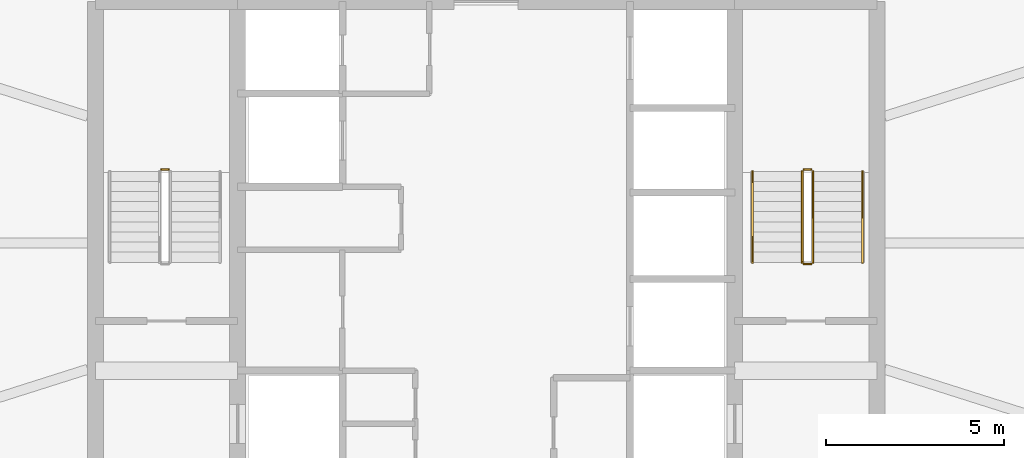
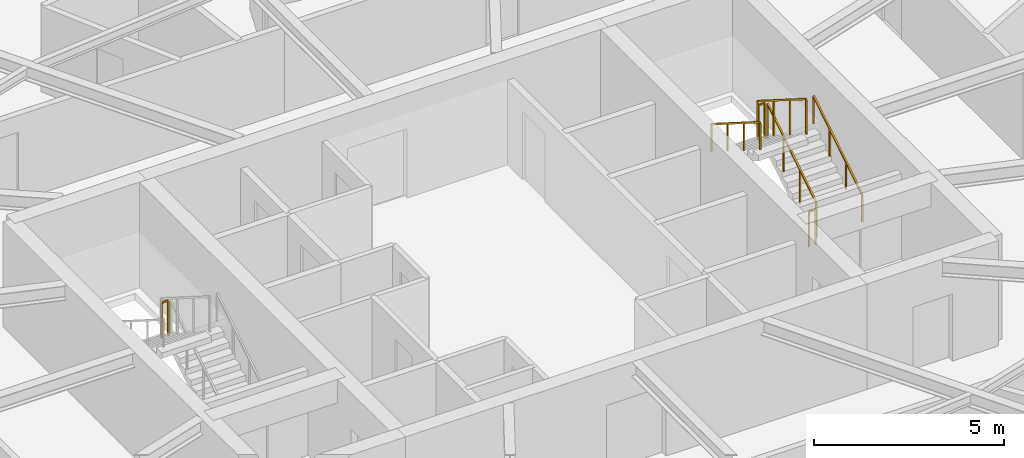
# One storey, part 28 of 28: 7 railings.
"""IFC4 building model written with IfcOpenShell, lengths in metres."""

from ifc_helpers import new_model, si_unit, direction, frame, origin, origin_2d, place, context, subcontext, project, spatial, rectangle, extrude, material, type_object, element, save


model = new_model("IFC4")

# Units and contexts
model_context = context("Model", 3, precision=1e-05, world=origin(), true_north=direction((0.0, 1.0)))
body_context = subcontext(model_context, "Body", "Model", "MODEL_VIEW")
ifc_project = project(units=[si_unit("LENGTHUNIT", "METRE"), si_unit("AREAUNIT", "SQUARE_METRE"), si_unit("VOLUMEUNIT", "CUBIC_METRE"), si_unit("PLANEANGLEUNIT", "RADIAN"), si_unit("MASSUNIT", "GRAM", prefix="KILO")], contexts=[model_context])

# Site, building, storey
site_placement = place(None, origin())
site = spatial("IfcSite", under=ifc_project, at=site_placement, CompositionType="ELEMENT")
building_placement = place(site_placement, origin())
building = spatial("IfcBuilding", under=site, at=building_placement, Name="Sarneth Arch Tower", CompositionType="ELEMENT")
storey_placement = place(building_placement, frame((0.0, 0.0, 179.39990234375)))
storey = spatial("IfcBuildingStorey", under=building, at=storey_placement, Name="L45", CompositionType="ELEMENT", Elevation=179.39990234375)

# Railings
ifc_material_1 = material(Name="Brushed Stainless Steel 304 tubular handrail", Category="steel")
railing_type_1 = type_object("IfcRailingType", Name="RAIL-HANDRAIL-900", PredefinedType="HANDRAIL", material=ifc_material_1)
railing_1_placement = place(storey_placement, frame((58.60009765625, 41.449951171875, 0.18017578125)))
element("IfcRailing", 1, at=railing_1_placement, inside=storey, type_object=railing_type_1, Name="L45 ST-2 stair handrail 1", PredefinedType="HANDRAIL", context=body_context, shape_type="SweptSolid", body=[
    extrude(rectangle(XDim=0.048095703125, YDim=0.048095703125, at=origin_2d()), frame((0.0, 0.0, 0.8759765625), z_axis=(0.0, 0.845502289212, 0.533971796014), x_axis=(-1.0, 0.0, 0.0)), (0.0, 0.0, 1.0), 3.03369140625),
    extrude(rectangle(XDim=0.0419921875, YDim=0.0419921875, at=origin_2d()), origin(), (0.0, 0.0, 1.0), 0.851806640625),
    extrude(rectangle(XDim=0.0419921875, YDim=0.0419921875, at=origin_2d()), frame((0.0, 0.85498046875, 0.5400390625)), (0.0, 0.0, 1.0), 0.851806640625),
    extrude(rectangle(XDim=0.0419921875, YDim=0.0419921875, at=origin_2d()), frame((0.0, 1.7099609375, 1.079833984375)), (0.0, 0.0, 1.0), 0.851806640625),
    extrude(rectangle(XDim=0.0419921875, YDim=0.0419921875, at=origin_2d()), frame((0.0, 2.56494140625, 1.619873046875)), (0.0, 0.0, 1.0), 0.851806640625),
])
railing_2_placement = place(storey_placement, frame((55.5, 44.014892578125, 1.97998046875)))
element("IfcRailing", 2, at=railing_2_placement, inside=storey, type_object=railing_type_1, Name="L45 ST-2 stair handrail 2", PredefinedType="HANDRAIL", context=body_context, shape_type="SweptSolid", body=[
    extrude(rectangle(XDim=0.048095703125, YDim=0.048095703125, at=origin_2d()), frame((0.0, 0.0, 0.8759765625), z_axis=(0.0, -0.845465955043, 0.534029323973), x_axis=(1.0, 0.0, 0.0)), (0.0, 0.0, 1.0), 3.03369140625),
    extrude(rectangle(XDim=0.0419921875, YDim=0.0419921875, at=origin_2d()), origin(), (0.0, 0.0, 1.0), 0.851806640625),
    extrude(rectangle(XDim=0.0419921875, YDim=0.0419921875, at=origin_2d()), frame((0.0, -0.85498046875, 0.5400390625)), (0.0, 0.0, 1.0), 0.851806640625),
    extrude(rectangle(XDim=0.0419921875, YDim=0.0419921875, at=origin_2d()), frame((0.0, -1.7099609375, 1.080078125)), (0.0, 0.0, 1.0), 0.851806640625),
    extrude(rectangle(XDim=0.0419921875, YDim=0.0419921875, at=origin_2d()), frame((0.0, -2.56494140625, 1.6201171875)), (0.0, 0.0, 1.0), 0.851806640625),
])
ifc_material_2 = material(Name="Painted Steel S275 stair well guard", Category="steel")
railing_type_2 = type_object("IfcRailingType", Name="RAIL-STAIR-GUARD", PredefinedType="GUARDRAIL", material=ifc_material_2)
railing_3_placement = place(storey_placement, frame((39.050048828125, 44.06494140625, 1.800048828125)))
element("IfcRailing", 3, at=railing_3_placement, inside=storey, type_object=railing_type_2, Name="L45 ST-1 stair guard 2", PredefinedType="GUARDRAIL", context=body_context, shape_type="SweptSolid", body=[
    extrude(rectangle(XDim=0.048095703125, YDim=0.048095703125, at=origin_2d()), frame((0.0, 0.0, 1.1259765625), z_axis=(-1.0, 0.0, 0.0), x_axis=(0.0, -1.0, 0.0)), (0.0, 0.0, 1.0), 0.199951171875),
    extrude(rectangle(XDim=0.0419921875, YDim=0.0419921875, at=origin_2d()), origin(), (0.0, 0.0, 1.0), 1.101806640625),
    extrude(rectangle(XDim=0.0419921875, YDim=0.0419921875, at=origin_2d()), frame((-0.199951171875, 0.0, 0.0)), (0.0, 0.0, 1.0), 1.101806640625),
])
railing_4_placement = place(storey_placement, frame((57.199951171875, 41.449951171875, 0.18017578125)))
element("IfcRailing", 4, at=railing_4_placement, inside=storey, type_object=railing_type_2, Name="L45 ST-2 stair guard 1", PredefinedType="GUARDRAIL", context=body_context, shape_type="SweptSolid", body=[
    extrude(rectangle(XDim=0.048095703125, YDim=0.048095703125, at=origin_2d()), frame((0.0, 0.0, 1.1259765625), z_axis=(0.0, 0.845502289212, 0.533971796014), x_axis=(-1.0, 0.0, 0.0)), (0.0, 0.0, 1.0), 3.03369140625),
    extrude(rectangle(XDim=0.0419921875, YDim=0.0419921875, at=origin_2d()), origin(), (0.0, 0.0, 1.0), 1.101806640625),
    extrude(rectangle(XDim=0.0419921875, YDim=0.0419921875, at=origin_2d()), frame((0.0, 0.85498046875, 0.5400390625)), (0.0, 0.0, 1.0), 1.101806640625),
    extrude(rectangle(XDim=0.0419921875, YDim=0.0419921875, at=origin_2d()), frame((0.0, 1.7099609375, 1.079833984375)), (0.0, 0.0, 1.0), 1.101806640625),
    extrude(rectangle(XDim=0.0419921875, YDim=0.0419921875, at=origin_2d()), frame((0.0, 2.56494140625, 1.619873046875)), (0.0, 0.0, 1.0), 1.101806640625),
])
railing_5_placement = place(storey_placement, frame((57.14990234375, 44.06494140625, 1.800048828125)))
element("IfcRailing", 5, at=railing_5_placement, inside=storey, type_object=railing_type_2, Name="L45 ST-2 stair guard 2", PredefinedType="GUARDRAIL", context=body_context, shape_type="SweptSolid", body=[
    extrude(rectangle(XDim=0.048095703125, YDim=0.048095703125, at=origin_2d()), frame((0.0, 0.0, 1.1259765625), z_axis=(-1.0, 0.0, 0.0), x_axis=(0.0, -1.0, 0.0)), (0.0, 0.0, 1.0), 0.199951171875),
    extrude(rectangle(XDim=0.0419921875, YDim=0.0419921875, at=origin_2d()), origin(), (0.0, 0.0, 1.0), 1.101806640625),
    extrude(rectangle(XDim=0.0419921875, YDim=0.0419921875, at=origin_2d()), frame((-0.199951171875, 0.0, 0.0)), (0.0, 0.0, 1.0), 1.101806640625),
])
railing_6_placement = place(storey_placement, frame((56.89990234375, 44.014892578125, 1.97998046875)))
element("IfcRailing", 6, at=railing_6_placement, inside=storey, type_object=railing_type_2, Name="L45 ST-2 stair guard 3", PredefinedType="GUARDRAIL", context=body_context, shape_type="SweptSolid", body=[
    extrude(rectangle(XDim=0.048095703125, YDim=0.048095703125, at=origin_2d()), frame((0.0, 0.0, 1.1259765625), z_axis=(0.0, -0.845465955043, 0.534029323973), x_axis=(1.0, 0.0, 0.0)), (0.0, 0.0, 1.0), 3.03369140625),
    extrude(rectangle(XDim=0.0419921875, YDim=0.0419921875, at=origin_2d()), origin(), (0.0, 0.0, 1.0), 1.101806640625),
    extrude(rectangle(XDim=0.0419921875, YDim=0.0419921875, at=origin_2d()), frame((0.0, -0.85498046875, 0.5400390625)), (0.0, 0.0, 1.0), 1.101806640625),
    extrude(rectangle(XDim=0.0419921875, YDim=0.0419921875, at=origin_2d()), frame((0.0, -1.7099609375, 1.080078125)), (0.0, 0.0, 1.0), 1.101806640625),
    extrude(rectangle(XDim=0.0419921875, YDim=0.0419921875, at=origin_2d()), frame((0.0, -2.56494140625, 1.6201171875)), (0.0, 0.0, 1.0), 1.101806640625),
])
railing_7_placement = place(storey_placement, frame((57.14990234375, 41.39990234375, 0.0)))
element("IfcRailing", 7, at=railing_7_placement, inside=storey, type_object=railing_type_2, Name="L45 ST-2 stair guard 4", PredefinedType="GUARDRAIL", context=body_context, shape_type="SweptSolid", body=[
    extrude(rectangle(XDim=0.048095703125, YDim=0.048095703125, at=origin_2d()), frame((0.0, 0.0, 1.1259765625), z_axis=(-1.0, 0.0, 0.0), x_axis=(0.0, -1.0, 0.0)), (0.0, 0.0, 1.0), 0.199951171875),
    extrude(rectangle(XDim=0.0419921875, YDim=0.0419921875, at=origin_2d()), origin(), (0.0, 0.0, 1.0), 1.101806640625),
    extrude(rectangle(XDim=0.0419921875, YDim=0.0419921875, at=origin_2d()), frame((-0.199951171875, 0.0, 0.0)), (0.0, 0.0, 1.0), 1.101806640625),
])

save(model, "model.ifc")
